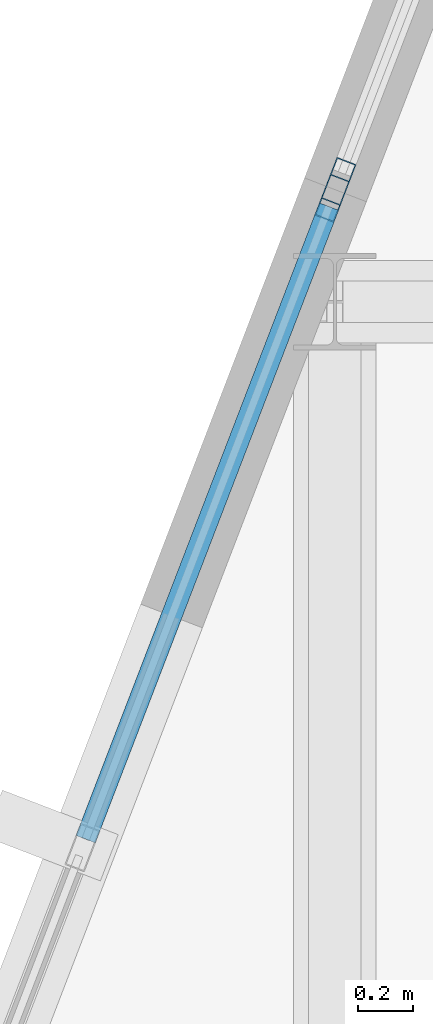
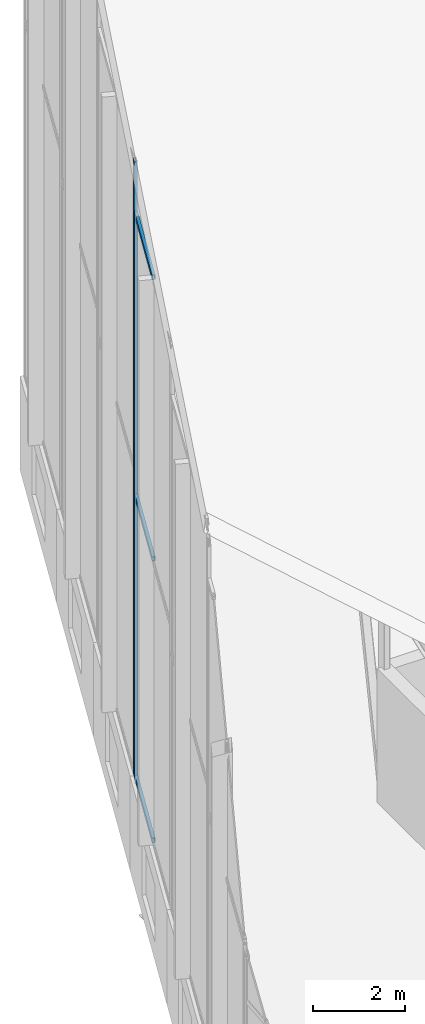
# One storey, part 17 of 74: 5 members, 2 elements without a shape of their own.
"""IFC4 building model written with IfcOpenShell, lengths in metres."""

from ifc_helpers import new_model, si_unit, direction, frame, origin, origin_2d, place, context, subcontext, project, spatial, hollow_rectangle, extrude, material, layer, layer_set, material_profile, profile_set, type_object, element, aggregate, save


model = new_model("IFC4")

# Units and contexts
model_context = context("Model", 3, precision=1e-05, world=origin(), true_north=direction((0.0, 1.0)))
body_context = subcontext(model_context, "Body", "Model", "MODEL_VIEW")
ifc_project = project(units=[si_unit("LENGTHUNIT", "METRE"), si_unit("AREAUNIT", "SQUARE_METRE"), si_unit("VOLUMEUNIT", "CUBIC_METRE"), si_unit("PLANEANGLEUNIT", "RADIAN"), si_unit("MASSUNIT", "GRAM", prefix="KILO")], contexts=[model_context])

# Site, building, storey
site_placement = place(None, origin())
site = spatial("IfcSite", under=ifc_project, at=site_placement, CompositionType="ELEMENT")
building_placement = place(site_placement, origin())
building = spatial("IfcBuilding", under=site, at=building_placement, Name="Keshet Zoharim Tower", CompositionType="ELEMENT")
storey_placement = place(building_placement, frame((0.0, 0.0, 320.0)))
storey = spatial("IfcBuildingStorey", under=building, at=storey_placement, Name="RF", CompositionType="ELEMENT", Elevation=320.0)

# Curtain wall, member
ifc_material = material(Name="Aluminium 6063-T6", Category="aluminium")
ifc_layer = layer(ifc_material, 0.260009765625)
ifc_layer_set = layer_set([ifc_layer], Name="Aluminium 6063-T6")
curtain_wall_type = type_object("IfcCurtainWallType", Name="CW-SYS-06", PredefinedType="NOTDEFINED", material=ifc_layer_set)
curtain_wall_1_placement = place(storey_placement, origin())
curtain_wall_1 = element("IfcCurtainWall", 1, at=curtain_wall_1_placement, inside=storey, type_object=curtain_wall_type, Name="Slanted Crown Curtain Wall 05", PredefinedType="NOTDEFINED")
ifc_material_profile_1 = material_profile(ifc_material, hollow_rectangle(XDim=0.074951171875, YDim=0.159912109375, WallThickness=0.00390625, at=origin_2d()), Name="MUL-75x160")
ifc_profile_set_1 = profile_set([ifc_material_profile_1], Name="Aluminium 6063-T6")
member_type_1 = type_object("IfcMemberType", Name="CWM-M15", PredefinedType="MULLION", material=ifc_profile_set_1)
member_1_placement = place(storey_placement, frame((8.990234375, 38.275634765625, 2.5), z_axis=(0.0, 0.0, 1.0), x_axis=(-0.933345606206, 0.358979079302, 0.0)))
member_1 = element("IfcMember", 2, at=member_1_placement, type_object=member_type_1, Name="CW-06 mullion 3", PredefinedType="MULLION", context=body_context, shape_type="SweptSolid", body=[
    extrude(hollow_rectangle(XDim=0.074951171875, YDim=0.159912109375, WallThickness=0.00390625, at=origin_2d()), origin(), (0.0, 0.0, 1.0), 14.98095703125),
])

curtain_wall_2_placement = place(storey_placement, origin())
curtain_wall_2 = element("IfcCurtainWall", 3, at=curtain_wall_2_placement, inside=storey, type_object=curtain_wall_type, Name="Slanted Crown Curtain Wall 06", PredefinedType="NOTDEFINED")
member_2_placement = place(storey_placement, frame((9.013671875, 38.33642578125, 2.5), z_axis=(0.0, 0.0, 1.0), x_axis=(-0.933320389385, 0.359044636163, 0.0)))
member_2 = element("IfcMember", 4, at=member_2_placement, type_object=member_type_1, Name="CW-06 mullion 1", PredefinedType="MULLION", context=body_context, shape_type="SweptSolid", body=[
    extrude(hollow_rectangle(XDim=0.074951171875, YDim=0.159912109375, WallThickness=0.00390625, at=origin_2d()), origin(), (0.0, 0.0, 1.0), 16.30810546875),
])
aggregate(curtain_wall_2, [member_2])

# Member
ifc_material_profile_2 = material_profile(ifc_material, hollow_rectangle(XDim=0.074951171875, YDim=0.1201171875, WallThickness=0.00390625, at=origin_2d()), Name="TRN-75x120")
ifc_profile_set_2 = profile_set([ifc_material_profile_2], Name="Aluminium 6063-T6")
member_type_2 = type_object("IfcMemberType", Name="CWT-T12", PredefinedType="USERDEFINED", material=ifc_profile_set_2)
member_3_placement = place(storey_placement, frame((8.09619140625, 35.950927734375, 2.532470703125), z_axis=(0.359012353671, 0.933332807691, 0.0), x_axis=(-0.933332807691, 0.359012353671, 0.0)))
member_3 = element("IfcMember", 5, at=member_3_placement, type_object=member_type_2, Name="CW-06 transom 2.1", ObjectType="TRANSOM", PredefinedType="USERDEFINED", context=body_context, shape_type="SweptSolid", body=[
    extrude(hollow_rectangle(XDim=0.074951171875, YDim=0.1201171875, WallThickness=0.00390625, at=origin_2d()), origin(), (0.0, 0.0, 1.0), 2.458251953125),
])

member_4_placement = place(storey_placement, frame((8.09619140625, 35.950927734375, 9.989990234375), z_axis=(0.359012353671, 0.933332807691, 0.0), x_axis=(-0.933332807691, 0.359012353671, 0.0)))
member_4 = element("IfcMember", 6, at=member_4_placement, type_object=member_type_2, Name="CW-06 transom 2.2", ObjectType="TRANSOM", PredefinedType="USERDEFINED", context=body_context, shape_type="SweptSolid", body=[
    extrude(hollow_rectangle(XDim=0.074951171875, YDim=0.1201171875, WallThickness=0.00390625, at=origin_2d()), origin(), (0.0, 0.0, 1.0), 2.458251953125),
])

member_5_placement = place(storey_placement, frame((8.09619140625, 35.950927734375, 17.448486328125), z_axis=(0.359012353671, 0.933332807691, 0.0), x_axis=(-0.933332807691, 0.359012353671, 0.0)))
member_5 = element("IfcMember", 7, at=member_5_placement, type_object=member_type_2, Name="CW-06 transom 2.3", ObjectType="TRANSOM", PredefinedType="USERDEFINED", context=body_context, shape_type="SweptSolid", body=[
    extrude(hollow_rectangle(XDim=0.074951171875, YDim=0.1201171875, WallThickness=0.00390625, at=origin_2d()), origin(), (0.0, 0.0, 1.0), 2.458251953125),
])

aggregate(curtain_wall_1, [member_1, member_3, member_4, member_5])

save(model, "model.ifc")
